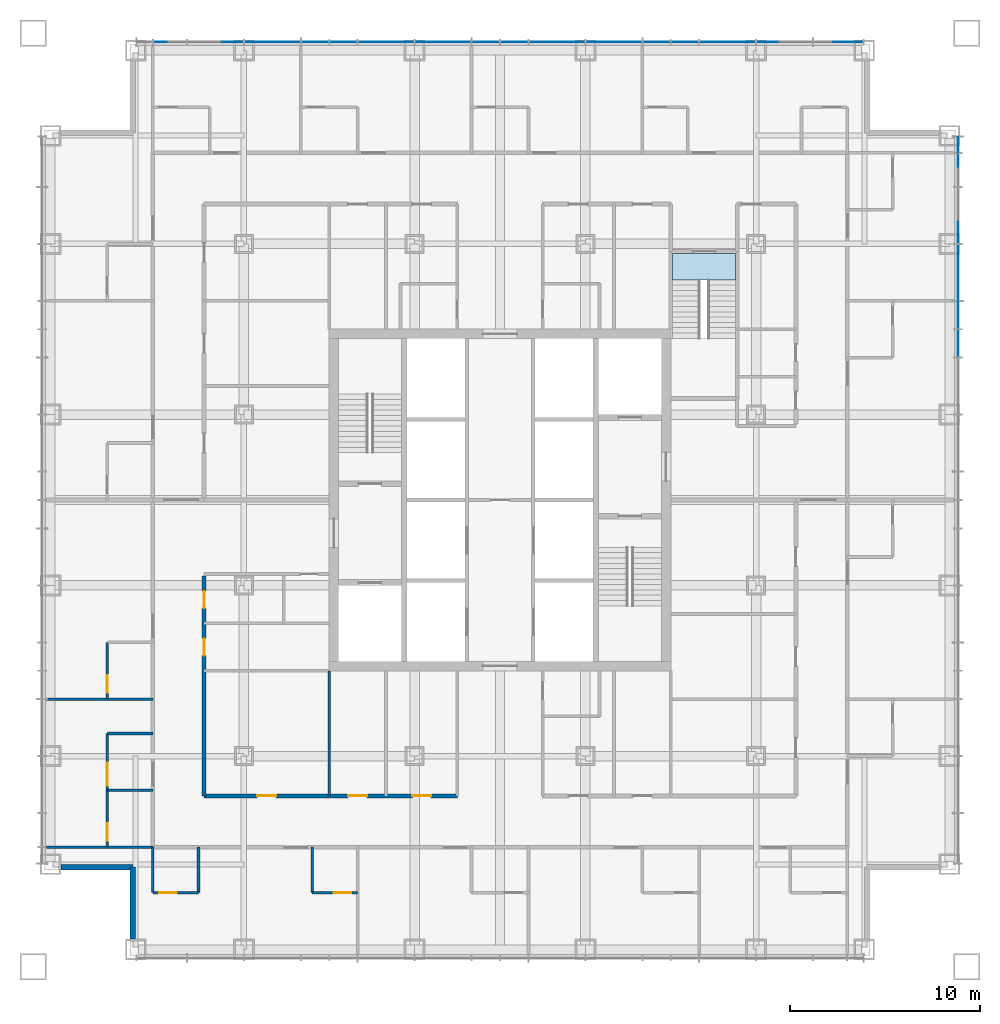
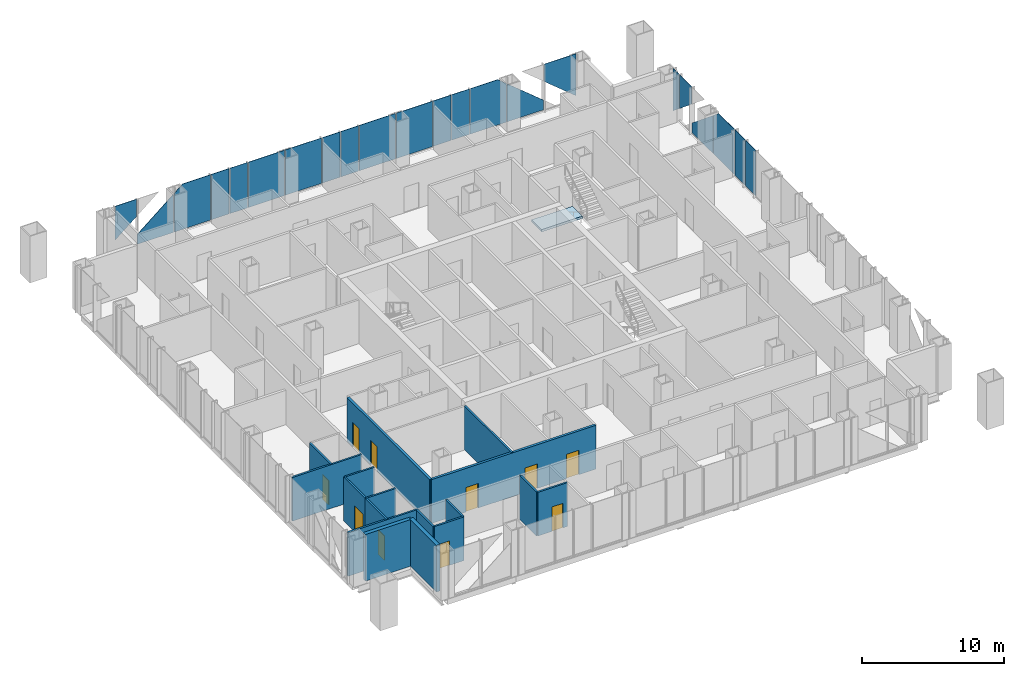
# One storey, part 8 of 13: 22 plates, 17 walls, 10 doors, 1 slab, 10 openings, 3 elements without a shape of their own.
"""IFC4 building model written with IfcOpenShell, lengths in metres."""

from ifc_helpers import new_model, si_unit, direction, frame, frame_2d, origin, origin_2d, place, context, subcontext, project, spatial, polyline, rectangle, outline, extrude, material, layer, layer_set, type_object, element, fill, aggregate, save


model = new_model("IFC4")

# Units and contexts
model_context = context("Model", 3, precision=1e-05, world=origin(), true_north=direction((0.0, 1.0)))
body_context = subcontext(model_context, "Body", "Model", "MODEL_VIEW")
ifc_project = project(units=[si_unit("LENGTHUNIT", "METRE"), si_unit("AREAUNIT", "SQUARE_METRE"), si_unit("VOLUMEUNIT", "CUBIC_METRE"), si_unit("PLANEANGLEUNIT", "RADIAN"), si_unit("MASSUNIT", "GRAM", prefix="KILO")], contexts=[model_context])

# Site, building, storey
site_placement = place(None, origin())
site = spatial("IfcSite", under=ifc_project, at=site_placement, CompositionType="ELEMENT")
building_placement = place(site_placement, origin())
building = spatial("IfcBuilding", under=site, at=building_placement, Name="Malebo Sky Hospital", CompositionType="ELEMENT")
storey_placement = place(building_placement, frame((0.0, 0.0, 104.0)))
storey = spatial("IfcBuildingStorey", under=building, at=storey_placement, Name="L24", CompositionType="ELEMENT", Elevation=104.0)

# Stair, slab
ifc_material_1 = material(Name="Concrete C40/50", Category="concrete")
stair_type = type_object("IfcStairType", Name="HALF-TURN STAIR 1400 R167", PredefinedType="HALF_TURN_STAIR", material=ifc_material_1)
stair_placement = place(storey_placement, origin())
stair = element("IfcStair", 1, at=stair_placement, inside=storey, type_object=stair_type, Name="Stair S3 L24 type ST1B", PredefinedType="HALF_TURN_STAIR")
ifc_layer_1 = layer(ifc_material_1, 0.199951171875)
ifc_layer_set_1 = layer_set([ifc_layer_1], Name="STAIR LANDING 200")
slab_type = type_object("IfcSlabType", Name="STAIR LANDING 200", PredefinedType="LANDING", material=ifc_layer_set_1)
slab_placement = place(storey_placement, frame((0.0, 0.0, -0.199951171875)))
slab = element("IfcSlab", 2, at=slab_placement, type_object=slab_type, Name="S3 landing 1", PredefinedType="LANDING", context=body_context, shape_type="SweptSolid", body=[
    extrude(outline(polyline([(69.10009765625, 73.60009765625), (72.39990234375, 73.60009765625), (72.39990234375, 75.0), (69.10009765625, 75.0), (69.10009765625, 73.60009765625)])), origin(), (0.0, 0.0, 1.0), 0.199951171875),
])
aggregate(stair, [slab])

# Curtain wall, plates
ifc_material_2 = material(Name="Anodised aluminium, natural silver", Category="aluminium")
ifc_layer_2 = layer(ifc_material_2, 0.25)
ifc_layer_set_2 = layer_set([ifc_layer_2], Name="WARD CURTAIN WALL NORTH AND SOUTH")
curtain_wall_type_1 = type_object("IfcCurtainWallType", Name="WARD CURTAIN WALL NORTH AND SOUTH", PredefinedType="NOTDEFINED", material=ifc_layer_set_2)
curtain_wall_1_placement = place(storey_placement, origin())
curtain_wall_1 = element("IfcCurtainWall", 3, at=curtain_wall_1_placement, inside=storey, type_object=curtain_wall_type_1, Name="NS curtain wall N", PredefinedType="NOTDEFINED")
ifc_material_3 = material(Name="Clear low-iron double glazing", Category="glass")
ifc_layer_3 = layer(ifc_material_3, 0.031982421875)
ifc_layer_set_3 = layer_set([ifc_layer_3], Name="VISION PANEL CLEAR 32")
plate_type = type_object("IfcPlateType", Name="VISION PANEL CLEAR 32", PredefinedType="CURTAIN_PANEL", material=ifc_layer_set_3)
plate_1_placement = place(storey_placement, frame((42.60009765625, 86.135009765625, 1.083984375), z_axis=(0.0, 0.0, 1.0), x_axis=(1.0, 0.0, 0.0)))
plate_1 = element("IfcPlate", 4, at=plate_1_placement, type_object=plate_type, Name="Panel 2", PredefinedType="CURTAIN_PANEL", context=body_context, shape_type="SweptSolid", body=[
    extrude(outline(polyline([(-0.862548828125, 0.0), (0.862548828125, 1.421630859375), (0.862548828125, 2.906005859375), (-0.862548828125, 2.906005859375), (-0.862548828125, 0.0)])), frame((0.0, 0.01611328125, 0.0), z_axis=(0.0, -1.0, 0.0), x_axis=(1.0, 0.0, 0.0)), (0.0, 0.0, 1.0), 0.031982421875),
])
plate_2_placement = place(storey_placement, frame((45.0, 86.135009765625, 0.10009765625), z_axis=(0.0, 0.0, 1.0), x_axis=(1.0, 0.0, 0.0)))
plate_2 = element("IfcPlate", 5, at=plate_2_placement, type_object=plate_type, Name="Panel 3", PredefinedType="CURTAIN_PANEL", context=body_context, shape_type="SweptSolid", body=[
    extrude(outline(polyline([(-1.46240234375, 0.0), (1.46240234375, 0.0), (1.46240234375, 3.257080078125), (-1.46240234375, 0.846435546875), (-1.46240234375, 0.0)])), frame((0.0, 0.01611328125, 0.0), z_axis=(0.0, -1.0, 0.0), x_axis=(1.0, 0.0, 0.0)), (0.0, 0.0, 1.0), 0.031982421875),
])
plate_3_placement = place(storey_placement, frame((48.0, 86.135009765625, 0.10009765625), z_axis=(0.0, 0.0, 1.0), x_axis=(1.0, 0.0, 0.0)))
plate_3 = element("IfcPlate", 6, at=plate_3_placement, type_object=plate_type, Name="Panel 4", PredefinedType="CURTAIN_PANEL", context=body_context, shape_type="SweptSolid", body=[
    extrude(outline(polyline([(-1.46240234375, 0.0), (1.46240234375, 0.0), (1.46240234375, 3.889892578125), (-0.76953125, 3.889892578125), (-1.46240234375, 3.31884765625), (-1.46240234375, 0.0)])), frame((0.0, 0.01611328125, 0.0), z_axis=(0.0, -1.0, 0.0), x_axis=(1.0, 0.0, 0.0)), (0.0, 0.0, 1.0), 0.031982421875),
])
plate_4_placement = place(storey_placement, frame((50.25, 86.135009765625, 0.10009765625), z_axis=(0.0, 0.0, 1.0), x_axis=(1.0, 0.0, 0.0)))
plate_4 = element("IfcPlate", 7, at=plate_4_placement, type_object=plate_type, Name="Panel 5", PredefinedType="CURTAIN_PANEL", context=body_context, shape_type="SweptSolid", body=[
    extrude(rectangle(XDim=1.425048828125, YDim=0.031982421875, at=origin_2d()), origin(), (0.0, 0.0, 1.0), 3.889892578125),
])
plate_5_placement = place(storey_placement, frame((51.75, 86.135009765625, 0.10009765625), z_axis=(0.0, 0.0, 1.0), x_axis=(1.0, 0.0, 0.0)))
plate_5 = element("IfcPlate", 8, at=plate_5_placement, type_object=plate_type, Name="Panel 6", PredefinedType="CURTAIN_PANEL", context=body_context, shape_type="SweptSolid", body=[
    extrude(rectangle(XDim=1.425048828125, YDim=0.031982421875, at=origin_2d()), origin(), (0.0, 0.0, 1.0), 3.889892578125),
])
plate_6_placement = place(storey_placement, frame((54.0, 86.135009765625, 0.10009765625), z_axis=(0.0, 0.0, 1.0), x_axis=(1.0, 0.0, 0.0)))
plate_6 = element("IfcPlate", 9, at=plate_6_placement, type_object=plate_type, Name="Panel 7", PredefinedType="CURTAIN_PANEL", context=body_context, shape_type="SweptSolid", body=[
    extrude(rectangle(XDim=2.925048828125, YDim=0.031982421875, at=origin_2d()), origin(), (0.0, 0.0, 1.0), 3.889892578125),
])
plate_7_placement = place(storey_placement, frame((57.0, 86.135009765625, 0.10009765625), z_axis=(0.0, 0.0, 1.0), x_axis=(1.0, 0.0, 0.0)))
plate_7 = element("IfcPlate", 10, at=plate_7_placement, type_object=plate_type, Name="Panel 8", PredefinedType="CURTAIN_PANEL", context=body_context, shape_type="SweptSolid", body=[
    extrude(rectangle(XDim=2.925048828125, YDim=0.031982421875, at=origin_2d()), origin(), (0.0, 0.0, 1.0), 3.889892578125),
])
plate_8_placement = place(storey_placement, frame((59.25, 86.135009765625, 0.10009765625), z_axis=(0.0, 0.0, 1.0), x_axis=(1.0, 0.0, 0.0)))
plate_8 = element("IfcPlate", 11, at=plate_8_placement, type_object=plate_type, Name="Panel 9", PredefinedType="CURTAIN_PANEL", context=body_context, shape_type="SweptSolid", body=[
    extrude(rectangle(XDim=1.425048828125, YDim=0.031982421875, at=origin_2d()), origin(), (0.0, 0.0, 1.0), 3.889892578125),
])
plate_9_placement = place(storey_placement, frame((60.75, 86.135009765625, 0.10009765625), z_axis=(0.0, 0.0, 1.0), x_axis=(1.0, 0.0, 0.0)))
plate_9 = element("IfcPlate", 12, at=plate_9_placement, type_object=plate_type, Name="Panel 10", PredefinedType="CURTAIN_PANEL", context=body_context, shape_type="SweptSolid", body=[
    extrude(rectangle(XDim=1.425048828125, YDim=0.031982421875, at=origin_2d()), origin(), (0.0, 0.0, 1.0), 3.889892578125),
])
plate_10_placement = place(storey_placement, frame((63.0, 86.135009765625, 0.10009765625), z_axis=(0.0, 0.0, 1.0), x_axis=(1.0, 0.0, 0.0)))
plate_10 = element("IfcPlate", 13, at=plate_10_placement, type_object=plate_type, Name="Panel 11", PredefinedType="CURTAIN_PANEL", context=body_context, shape_type="SweptSolid", body=[
    extrude(rectangle(XDim=2.925048828125, YDim=0.031982421875, at=origin_2d()), origin(), (0.0, 0.0, 1.0), 3.889892578125),
])
plate_11_placement = place(storey_placement, frame((66.0, 86.135009765625, 0.10009765625), z_axis=(0.0, 0.0, 1.0), x_axis=(1.0, 0.0, 0.0)))
plate_11 = element("IfcPlate", 14, at=plate_11_placement, type_object=plate_type, Name="Panel 12", PredefinedType="CURTAIN_PANEL", context=body_context, shape_type="SweptSolid", body=[
    extrude(rectangle(XDim=2.925048828125, YDim=0.031982421875, at=origin_2d()), origin(), (0.0, 0.0, 1.0), 3.889892578125),
])
plate_12_placement = place(storey_placement, frame((68.25, 86.135009765625, 0.10009765625), z_axis=(0.0, 0.0, 1.0), x_axis=(1.0, 0.0, 0.0)))
plate_12 = element("IfcPlate", 15, at=plate_12_placement, type_object=plate_type, Name="Panel 13", PredefinedType="CURTAIN_PANEL", context=body_context, shape_type="SweptSolid", body=[
    extrude(rectangle(XDim=1.425048828125, YDim=0.031982421875, at=origin_2d()), origin(), (0.0, 0.0, 1.0), 3.889892578125),
])
plate_13_placement = place(storey_placement, frame((69.75, 86.135009765625, 0.10009765625), z_axis=(0.0, 0.0, 1.0), x_axis=(1.0, 0.0, 0.0)))
plate_13 = element("IfcPlate", 16, at=plate_13_placement, type_object=plate_type, Name="Panel 14", PredefinedType="CURTAIN_PANEL", context=body_context, shape_type="SweptSolid", body=[
    extrude(rectangle(XDim=1.425048828125, YDim=0.031982421875, at=origin_2d()), origin(), (0.0, 0.0, 1.0), 3.889892578125),
])
plate_14_placement = place(storey_placement, frame((72.0, 86.135009765625, 0.10009765625), z_axis=(0.0, 0.0, 1.0), x_axis=(1.0, 0.0, 0.0)))
plate_14 = element("IfcPlate", 17, at=plate_14_placement, type_object=plate_type, Name="Panel 15", PredefinedType="CURTAIN_PANEL", context=body_context, shape_type="SweptSolid", body=[
    extrude(outline(polyline([(-1.46240234375, 0.0), (1.46240234375, 0.0), (1.46240234375, 3.31884765625), (0.76953125, 3.889892578125), (-1.46240234375, 3.889892578125), (-1.46240234375, 0.0)])), frame((0.0, 0.01611328125, 0.0), z_axis=(0.0, -1.0, 0.0), x_axis=(1.0, 0.0, 0.0)), (0.0, 0.0, 1.0), 0.031982421875),
])
plate_15_placement = place(storey_placement, frame((75.0, 86.135009765625, 0.10009765625), z_axis=(0.0, 0.0, 1.0), x_axis=(1.0, 0.0, 0.0)))
plate_15 = element("IfcPlate", 18, at=plate_15_placement, type_object=plate_type, Name="Panel 16", PredefinedType="CURTAIN_PANEL", context=body_context, shape_type="SweptSolid", body=[
    extrude(outline(polyline([(-1.46240234375, 0.0), (1.46240234375, 0.0), (1.46240234375, 0.846435546875), (-1.46240234375, 3.257080078125), (-1.46240234375, 0.0)])), frame((0.0, 0.01611328125, 0.0), z_axis=(0.0, -1.0, 0.0), x_axis=(1.0, 0.0, 0.0)), (0.0, 0.0, 1.0), 0.031982421875),
])
plate_16_placement = place(storey_placement, frame((77.831298828125, 86.135009765625, 0.373046875), z_axis=(0.0, 0.0, 1.0), x_axis=(1.0, 0.0, 0.0)))
plate_16 = element("IfcPlate", 19, at=plate_16_placement, type_object=plate_type, Name="Panel 17", PredefinedType="CURTAIN_PANEL", context=body_context, shape_type="SweptSolid", body=[
    extrude(outline(polyline([(1.293701171875, 0.0), (1.293701171875, 3.616943359375), (-1.293701171875, 3.616943359375), (-1.293701171875, 2.132568359375), (1.293701171875, 0.0)])), frame((0.0, 0.01611328125, 0.0), z_axis=(0.0, -1.0, 0.0), x_axis=(1.0, 0.0, 0.0)), (0.0, 0.0, 1.0), 0.031982421875),
])
aggregate(curtain_wall_1, [plate_1, plate_2, plate_3, plate_4, plate_5, plate_6, plate_7, plate_8, plate_9, plate_10, plate_11, plate_12, plate_13, plate_14, plate_15, plate_16])

ifc_layer_4 = layer(ifc_material_2, 0.25)
ifc_layer_set_4 = layer_set([ifc_layer_4], Name="WARD CURTAIN WALL EAST AND WEST")
curtain_wall_type_2 = type_object("IfcCurtainWallType", Name="WARD CURTAIN WALL EAST AND WEST", PredefinedType="NOTDEFINED", material=ifc_layer_set_4)
curtain_wall_2_placement = place(storey_placement, origin())
curtain_wall_2 = element("IfcCurtainWall", 20, at=curtain_wall_2_placement, inside=storey, type_object=curtain_wall_type_2, Name="EW curtain wall E", PredefinedType="NOTDEFINED")
plate_17_placement = place(storey_placement, frame((84.135009765625, 80.731201171875, 0.373046875), z_axis=(0.0, 0.0, 1.0), x_axis=(0.0, -1.0, 0.0)))
plate_17 = element("IfcPlate", 21, at=plate_17_placement, type_object=plate_type, Name="Panel 1", PredefinedType="CURTAIN_PANEL", context=body_context, shape_type="SweptSolid", body=[
    extrude(outline(polyline([(-0.393798828125, 0.0), (0.393798828125, 0.649169921875), (0.393798828125, 3.616943359375), (-0.393798828125, 3.616943359375), (-0.393798828125, 0.0)])), frame((0.0, 0.01611328125, 0.0), z_axis=(0.0, -1.0, 0.0), x_axis=(1.0, 0.0, 0.0)), (0.0, 0.0, 1.0), 0.031982421875),
])
plate_18_placement = place(storey_placement, frame((84.135009765625, 79.39990234375, 1.083984375), z_axis=(0.0, 0.0, 1.0), x_axis=(0.0, -1.0, 0.0)))
plate_18 = element("IfcPlate", 22, at=plate_18_placement, type_object=plate_type, Name="Panel 2", PredefinedType="CURTAIN_PANEL", context=body_context, shape_type="SweptSolid", body=[
    extrude(outline(polyline([(-0.862548828125, 0.0), (0.862548828125, 1.421630859375), (0.862548828125, 2.906005859375), (-0.862548828125, 2.906005859375), (-0.862548828125, 0.0)])), frame((0.0, 0.01611328125, 0.0), z_axis=(0.0, -1.0, 0.0), x_axis=(1.0, 0.0, 0.0)), (0.0, 0.0, 1.0), 0.031982421875),
])
plate_19_placement = place(storey_placement, frame((84.135009765625, 77.0, 0.10009765625), z_axis=(0.0, 0.0, 1.0), x_axis=(0.0, -1.0, 0.0)))
plate_19 = element("IfcPlate", 23, at=plate_19_placement, type_object=plate_type, Name="Panel 3", PredefinedType="CURTAIN_PANEL", context=body_context, shape_type="SweptSolid", body=[
    extrude(outline(polyline([(-1.46240234375, 0.0), (1.46240234375, 0.0), (1.46240234375, 3.257080078125), (-1.46240234375, 0.846435546875), (-1.46240234375, 0.0)])), frame((0.0, 0.01611328125, 0.0), z_axis=(0.0, -1.0, 0.0), x_axis=(1.0, 0.0, 0.0)), (0.0, 0.0, 1.0), 0.031982421875),
])
plate_20_placement = place(storey_placement, frame((84.135009765625, 74.0, 0.10009765625), z_axis=(0.0, 0.0, 1.0), x_axis=(0.0, -1.0, 0.0)))
plate_20 = element("IfcPlate", 24, at=plate_20_placement, type_object=plate_type, Name="Panel 4", PredefinedType="CURTAIN_PANEL", context=body_context, shape_type="SweptSolid", body=[
    extrude(outline(polyline([(-1.46240234375, 0.0), (1.46240234375, 0.0), (1.46240234375, 3.889892578125), (-0.76953125, 3.889892578125), (-1.46240234375, 3.31884765625), (-1.46240234375, 0.0)])), frame((0.0, 0.01611328125, 0.0), z_axis=(0.0, -1.0, 0.0), x_axis=(1.0, 0.0, 0.0)), (0.0, 0.0, 1.0), 0.031982421875),
])
plate_21_placement = place(storey_placement, frame((84.135009765625, 71.75, 0.10009765625), z_axis=(0.0, 0.0, 1.0), x_axis=(0.0, -1.0, 0.0)))
plate_21 = element("IfcPlate", 25, at=plate_21_placement, type_object=plate_type, Name="Panel 5", PredefinedType="CURTAIN_PANEL", context=body_context, shape_type="SweptSolid", body=[
    extrude(rectangle(XDim=1.425048828125, YDim=0.031982421875, at=origin_2d()), origin(), (0.0, 0.0, 1.0), 3.889892578125),
])
plate_22_placement = place(storey_placement, frame((84.135009765625, 70.25, 0.10009765625), z_axis=(0.0, 0.0, 1.0), x_axis=(0.0, -1.0, 0.0)))
plate_22 = element("IfcPlate", 26, at=plate_22_placement, type_object=plate_type, Name="Panel 6", PredefinedType="CURTAIN_PANEL", context=body_context, shape_type="SweptSolid", body=[
    extrude(rectangle(XDim=1.425048828125, YDim=0.031982421875, at=origin_2d()), origin(), (0.0, 0.0, 1.0), 3.889892578125),
])
aggregate(curtain_wall_2, [plate_17, plate_18, plate_19, plate_20, plate_21, plate_22])

# Wall, openings, doors
ifc_material_4 = material(Name="Gypsum board on steel studs", Category="steel")
ifc_layer_5 = layer(ifc_material_4, 0.199951171875)
ifc_layer_set_5 = layer_set([ifc_layer_5], Name="CORRIDOR WALL 200")
wall_type_1 = type_object("IfcWallType", Name="CORRIDOR WALL 200", PredefinedType="PARTITIONING", material=ifc_layer_set_5)
wall_1_placement = place(storey_placement, frame((44.39990234375, 46.39990234375, 0.0), z_axis=(0.0, 0.0, 1.0), x_axis=(0.0, 1.0, 0.0)))
wall_1 = element("IfcWall", 27, at=wall_1_placement, inside=storey, type_object=wall_type_1, Name="Corridor Wall 200 WCI1", PredefinedType="PARTITIONING", context=body_context, shape_type="SweptSolid", body=[
    extrude(rectangle(XDim=11.60009765625, YDim=0.199951171875, at=frame_2d((5.800048828125, 0.0))), origin(), (0.0, 0.0, 1.0), 3.75),
])
opening_1_placement = place(wall_1_placement, frame((7.39990234375, 0.0, 0.0)))
opening_1 = element("IfcOpeningElement", 28, at=opening_1_placement, cuts=wall_1, Name="Opening D04", PredefinedType="OPENING", context=body_context, shape_type="SweptSolid", body=[
    extrude(rectangle(XDim=0.89990234375, YDim=2.10009765625, at=frame_2d((0.449951171875, 1.050048828125))), frame((0.0, 0.10986328125, 0.0), z_axis=(0.0, -1.0, 0.0), x_axis=(1.0, 0.0, 0.0)), (0.0, 0.0, 1.0), 0.219970703125),
])
opening_2_placement = place(wall_1_placement, frame((9.89990234375, 0.0, 0.0)))
opening_2 = element("IfcOpeningElement", 29, at=opening_2_placement, cuts=wall_1, Name="Opening D04", PredefinedType="OPENING", context=body_context, shape_type="SweptSolid", body=[
    extrude(rectangle(XDim=0.89990234375, YDim=2.10009765625, at=frame_2d((0.449951171875, 1.050048828125))), frame((0.0, 0.10986328125, 0.0), z_axis=(0.0, -1.0, 0.0), x_axis=(1.0, 0.0, 0.0)), (0.0, 0.0, 1.0), 0.219970703125),
])
ifc_material_5 = material(Name="Hardwood-faced door leaf in steel frame", Category="steel")
door_type_1 = type_object("IfcDoorType", Name="ROOM DOOR 900", OperationType="SINGLE_SWING_LEFT", PredefinedType="DOOR", material=ifc_material_5)
door_1_placement = place(opening_1_placement, origin())
door_1 = element("IfcDoor", 30, at=door_1_placement, inside=storey, type_object=door_type_1, Name="Ward office door", OperationType="SINGLE_SWING_LEFT", OverallHeight=2.10009765625, OverallWidth=0.89990234375, PredefinedType="DOOR", context=body_context, shape_type="SweptSolid", body=[
    extrude(rectangle(XDim=0.89990234375, YDim=2.10009765625, at=frame_2d((0.449951171875, 1.050048828125))), frame((0.0, 0.02490234375, 0.0), z_axis=(0.0, -1.0, 0.0), x_axis=(1.0, 0.0, 0.0)), (0.0, 0.0, 1.0), 0.050048828125),
])
fill(opening_1, door_1)
door_2_placement = place(opening_2_placement, origin())
door_2 = element("IfcDoor", 31, at=door_2_placement, inside=storey, type_object=door_type_1, Name="Linen store door", OperationType="SINGLE_SWING_LEFT", OverallHeight=2.10009765625, OverallWidth=0.89990234375, PredefinedType="DOOR", context=body_context, shape_type="SweptSolid", body=[
    extrude(rectangle(XDim=0.89990234375, YDim=2.10009765625, at=frame_2d((0.449951171875, 1.050048828125))), frame((0.0, 0.02490234375, 0.0), z_axis=(0.0, -1.0, 0.0), x_axis=(1.0, 0.0, 0.0)), (0.0, 0.0, 1.0), 0.050048828125),
])
fill(opening_2, door_2)

wall_2_placement = place(storey_placement, frame((57.75, 46.39990234375, 0.0), z_axis=(0.0, 0.0, 1.0), x_axis=(-1.0, 0.0, 0.0)))
wall_2 = element("IfcWall", 32, at=wall_2_placement, inside=storey, type_object=wall_type_1, Name="Corridor Wall 200 SCI2", PredefinedType="PARTITIONING", context=body_context, shape_type="SweptSolid", body=[
    extrude(rectangle(XDim=13.35009765625, YDim=0.199951171875, at=frame_2d((6.675048828125, 0.0))), origin(), (0.0, 0.0, 1.0), 3.75),
])
opening_3_placement = place(wall_2_placement, frame((1.375, 0.0, 0.0)))
opening_3 = element("IfcOpeningElement", 33, at=opening_3_placement, cuts=wall_2, Name="Opening D03", PredefinedType="OPENING", context=body_context, shape_type="SweptSolid", body=[
    extrude(rectangle(XDim=1.0, YDim=2.10009765625, at=frame_2d((0.5, 1.050048828125))), frame((0.0, 0.10986328125, 0.0), z_axis=(0.0, -1.0, 0.0), x_axis=(1.0, 0.0, 0.0)), (0.0, 0.0, 1.0), 0.219970703125),
])
opening_4_placement = place(wall_2_placement, frame((4.75, 0.0, 0.0)))
opening_4 = element("IfcOpeningElement", 34, at=opening_4_placement, cuts=wall_2, Name="Opening D03", PredefinedType="OPENING", context=body_context, shape_type="SweptSolid", body=[
    extrude(rectangle(XDim=1.0, YDim=2.10009765625, at=frame_2d((0.5, 1.050048828125))), frame((0.0, 0.10986328125, 0.0), z_axis=(0.0, -1.0, 0.0), x_axis=(1.0, 0.0, 0.0)), (0.0, 0.0, 1.0), 0.219970703125),
])
opening_5_placement = place(wall_2_placement, frame((9.550048828125, 0.0, 0.0)))
opening_5 = element("IfcOpeningElement", 35, at=opening_5_placement, cuts=wall_2, Name="Opening D03", PredefinedType="OPENING", context=body_context, shape_type="SweptSolid", body=[
    extrude(rectangle(XDim=1.0, YDim=2.10009765625, at=frame_2d((0.5, 1.050048828125))), frame((0.0, 0.10986328125, 0.0), z_axis=(0.0, -1.0, 0.0), x_axis=(1.0, 0.0, 0.0)), (0.0, 0.0, 1.0), 0.219970703125),
])
door_type_2 = type_object("IfcDoorType", Name="ROOM DOOR 1000", OperationType="SINGLE_SWING_LEFT", PredefinedType="DOOR", material=ifc_material_5)
door_3_placement = place(opening_3_placement, origin())
door_3 = element("IfcDoor", 36, at=door_3_placement, inside=storey, type_object=door_type_2, Name="Ward pantry door", OperationType="SINGLE_SWING_LEFT", OverallHeight=2.10009765625, OverallWidth=1.0, PredefinedType="DOOR", context=body_context, shape_type="SweptSolid", body=[
    extrude(rectangle(XDim=1.0, YDim=2.10009765625, at=frame_2d((0.5, 1.050048828125))), frame((0.0, 0.02490234375, 0.0), z_axis=(0.0, -1.0, 0.0), x_axis=(1.0, 0.0, 0.0)), (0.0, 0.0, 1.0), 0.050048828125),
])
fill(opening_3, door_3)
door_4_placement = place(opening_4_placement, origin())
door_4 = element("IfcDoor", 37, at=door_4_placement, inside=storey, type_object=door_type_2, Name="Equipment cleaning room door", OperationType="SINGLE_SWING_LEFT", OverallHeight=2.10009765625, OverallWidth=1.0, PredefinedType="DOOR", context=body_context, shape_type="SweptSolid", body=[
    extrude(rectangle(XDim=1.0, YDim=2.10009765625, at=frame_2d((0.5, 1.050048828125))), frame((0.0, 0.02490234375, 0.0), z_axis=(0.0, -1.0, 0.0), x_axis=(1.0, 0.0, 0.0)), (0.0, 0.0, 1.0), 0.050048828125),
])
fill(opening_4, door_4)
door_5_placement = place(opening_5_placement, origin())
door_5 = element("IfcDoor", 38, at=door_5_placement, inside=storey, type_object=door_type_2, Name="Staff rest room door", OperationType="SINGLE_SWING_RIGHT", OverallHeight=2.10009765625, OverallWidth=1.0, PredefinedType="DOOR", context=body_context, shape_type="SweptSolid", body=[
    extrude(rectangle(XDim=1.0, YDim=2.10009765625, at=frame_2d((0.5, 1.050048828125))), frame((0.0, 0.02490234375, 0.0), z_axis=(0.0, -1.0, 0.0), x_axis=(1.0, 0.0, 0.0)), (0.0, 0.0, 1.0), 0.050048828125),
])
fill(opening_5, door_5)

# Walls
ifc_material_6 = material(Name="Anodised aluminium rainscreen on steel framing", Category="steel")
ifc_layer_6 = layer(ifc_material_6, 0.300048828125)
ifc_layer_set_6 = layer_set([ifc_layer_6], Name="NOTCH RAINSCREEN WALL 300")
wall_type_2 = type_object("IfcWallType", Name="NOTCH RAINSCREEN WALL 300", PredefinedType="ELEMENTEDWALL", material=ifc_layer_set_6)
for number, where, z_axis, x_axis, name in (
    (39, (40.64990234375, 38.85009765625, 0.0), (0.0, 0.0, 1.0), (0.0, 1.0, 0.0), "Notch rainscreen wall S1 L24"),
    (40, (40.64990234375, 42.64990234375, 0.0), (0.0, 0.0, 1.0), (-1.0, 0.0, 0.0), "Notch rainscreen wall S2 L24"),
):
    element("IfcWall", number, at=place(storey_placement, frame(where, z_axis=z_axis, x_axis=x_axis)), inside=storey, type_object=wall_type_2, Name=name, PredefinedType="ELEMENTEDWALL", context=body_context, shape_type="SweptSolid", body=[
        extrude(rectangle(XDim=3.7998046875, YDim=0.300048828125, at=frame_2d((1.89990234375, 0.0))), origin(), (0.0, 0.0, 1.0), 4.0),
    ])
ifc_layer_7 = layer(ifc_material_4, 0.14990234375)
ifc_layer_set_7 = layer_set([ifc_layer_7], Name="PARTITION 150")
wall_type_3 = type_object("IfcWallType", Name="PARTITION 150", PredefinedType="PARTITIONING", material=ifc_layer_set_7)
for number, where, z_axis, x_axis, name in (
    (41, (41.699951171875, 51.5, 0.0), (0.0, 0.0, 1.0), (-1.0, 0.0, 0.0), "Partition 150 WP-10.5"),
    (42, (41.699951171875, 43.699951171875, 0.0), (0.0, 0.0, 1.0), (-1.0, 0.0, 0.0), "Partition 150 WP0"),
):
    element("IfcWall", number, at=place(storey_placement, frame(where, z_axis=z_axis, x_axis=x_axis)), inside=storey, type_object=wall_type_3, Name=name, PredefinedType="PARTITIONING", context=body_context, shape_type="SweptSolid", body=[
        extrude(rectangle(XDim=5.60986328125, YDim=0.14990234375, at=frame_2d((2.804931640625, 0.0))), origin(), (0.0, 0.0, 1.0), 3.75),
    ])

# Wall, opening, door
wall_3_placement = place(storey_placement, frame((39.300048828125, 43.699951171875, 0.0), z_axis=(0.0, 0.0, 1.0), x_axis=(0.0, 1.0, 0.0)))
wall_3 = element("IfcWall", 43, at=wall_3_placement, inside=storey, type_object=wall_type_3, Name="Partition 150 WE0F", PredefinedType="PARTITIONING", context=body_context, shape_type="SweptSolid", body=[
    extrude(rectangle(XDim=3.0, YDim=0.14990234375, at=frame_2d((1.5, 0.0))), origin(), (0.0, 0.0, 1.0), 3.75),
])
opening_6_placement = place(wall_3_placement, frame((0.35009765625, 0.0, 0.0)))
opening_6 = element("IfcOpeningElement", 44, at=opening_6_placement, cuts=wall_3, Name="Opening D02", PredefinedType="OPENING", context=body_context, shape_type="SweptSolid", body=[
    extrude(rectangle(XDim=0.89990234375, YDim=2.10009765625, at=frame_2d((0.449951171875, 1.050048828125))), frame((0.0, 0.0849609375, 0.0), z_axis=(0.0, -1.0, 0.0), x_axis=(1.0, 0.0, 0.0)), (0.0, 0.0, 1.0), 0.169921875),
])
door_type_3 = type_object("IfcDoorType", Name="EN-SUITE DOOR 900", OperationType="SINGLE_SWING_LEFT", PredefinedType="DOOR", material=ifc_material_5)
door_6_placement = place(opening_6_placement, origin())
door_6 = element("IfcDoor", 45, at=door_6_placement, inside=storey, type_object=door_type_3, Name="En-suite door", OperationType="SINGLE_SWING_LEFT", OverallHeight=2.10009765625, OverallWidth=0.89990234375, PredefinedType="DOOR", context=body_context, shape_type="SweptSolid", body=[
    extrude(rectangle(XDim=0.89990234375, YDim=2.10009765625, at=frame_2d((0.449951171875, 1.050048828125))), frame((0.0, 0.02490234375, 0.0), z_axis=(0.0, -1.0, 0.0), x_axis=(1.0, 0.0, 0.0)), (0.0, 0.0, 1.0), 0.050048828125),
])
fill(opening_6, door_6)

# Wall
wall_4_placement = place(storey_placement, frame((41.699951171875, 46.699951171875, 0.0), z_axis=(0.0, 0.0, 1.0), x_axis=(-1.0, 0.0, 0.0)))
element("IfcWall", 46, at=wall_4_placement, inside=storey, type_object=wall_type_3, Name="Partition 150 WE0S", PredefinedType="PARTITIONING", context=body_context, shape_type="SweptSolid", body=[
    extrude(rectangle(XDim=2.39990234375, YDim=0.14990234375, at=frame_2d((1.199951171875, 0.0))), origin(), (0.0, 0.0, 1.0), 3.75),
])

# Wall, opening, door
wall_5_placement = place(storey_placement, frame((39.300048828125, 51.5, 0.0), z_axis=(0.0, 0.0, 1.0), x_axis=(0.0, 1.0, 0.0)))
wall_5 = element("IfcWall", 47, at=wall_5_placement, inside=storey, type_object=wall_type_3, Name="Partition 150 WE1F", PredefinedType="PARTITIONING", context=body_context, shape_type="SweptSolid", body=[
    extrude(rectangle(XDim=3.0, YDim=0.14990234375, at=frame_2d((1.5, 0.0))), origin(), (0.0, 0.0, 1.0), 3.75),
])
opening_7_placement = place(wall_5_placement, frame((0.35009765625, 0.0, 0.0)))
opening_7 = element("IfcOpeningElement", 48, at=opening_7_placement, cuts=wall_5, Name="Opening D02", PredefinedType="OPENING", context=body_context, shape_type="SweptSolid", body=[
    extrude(rectangle(XDim=0.89990234375, YDim=2.10009765625, at=frame_2d((0.449951171875, 1.050048828125))), frame((0.0, 0.0849609375, 0.0), z_axis=(0.0, -1.0, 0.0), x_axis=(1.0, 0.0, 0.0)), (0.0, 0.0, 1.0), 0.169921875),
])
door_7_placement = place(opening_7_placement, origin())
door_7 = element("IfcDoor", 49, at=door_7_placement, inside=storey, type_object=door_type_3, Name="En-suite door", OperationType="SINGLE_SWING_LEFT", OverallHeight=2.10009765625, OverallWidth=0.89990234375, PredefinedType="DOOR", context=body_context, shape_type="SweptSolid", body=[
    extrude(rectangle(XDim=0.89990234375, YDim=2.10009765625, at=frame_2d((0.449951171875, 1.050048828125))), frame((0.0, 0.02490234375, 0.0), z_axis=(0.0, -1.0, 0.0), x_axis=(1.0, 0.0, 0.0)), (0.0, 0.0, 1.0), 0.050048828125),
])
fill(opening_7, door_7)

wall_6_placement = place(storey_placement, frame((52.5, 41.300048828125, 0.0), z_axis=(0.0, 0.0, 1.0), x_axis=(-1.0, 0.0, 0.0)))
wall_6 = element("IfcWall", 50, at=wall_6_placement, inside=storey, type_object=wall_type_3, Name="Partition 150 SE3F", PredefinedType="PARTITIONING", context=body_context, shape_type="SweptSolid", body=[
    extrude(rectangle(XDim=2.39990234375, YDim=0.14990234375, at=frame_2d((1.199951171875, 0.0))), origin(), (0.0, 0.0, 1.0), 3.75),
])
opening_8_placement = place(wall_6_placement, frame((0.35009765625, 0.0, 0.0)))
opening_8 = element("IfcOpeningElement", 51, at=opening_8_placement, cuts=wall_6, Name="Opening D02", PredefinedType="OPENING", context=body_context, shape_type="SweptSolid", body=[
    extrude(rectangle(XDim=0.89990234375, YDim=2.10009765625, at=frame_2d((0.449951171875, 1.050048828125))), frame((0.0, 0.0849609375, 0.0), z_axis=(0.0, -1.0, 0.0), x_axis=(1.0, 0.0, 0.0)), (0.0, 0.0, 1.0), 0.169921875),
])
door_8_placement = place(opening_8_placement, origin())
door_8 = element("IfcDoor", 52, at=door_8_placement, inside=storey, type_object=door_type_3, Name="En-suite door", OperationType="SINGLE_SWING_LEFT", OverallHeight=2.10009765625, OverallWidth=0.89990234375, PredefinedType="DOOR", context=body_context, shape_type="SweptSolid", body=[
    extrude(rectangle(XDim=0.89990234375, YDim=2.10009765625, at=frame_2d((0.449951171875, 1.050048828125))), frame((0.0, 0.02490234375, 0.0), z_axis=(0.0, -1.0, 0.0), x_axis=(1.0, 0.0, 0.0)), (0.0, 0.0, 1.0), 0.050048828125),
])
fill(opening_8, door_8)

# Wall
wall_7_placement = place(storey_placement, frame((50.10009765625, 43.699951171875, 0.0), z_axis=(0.0, 0.0, 1.0), x_axis=(0.0, -1.0, 0.0)))
element("IfcWall", 53, at=wall_7_placement, inside=storey, type_object=wall_type_3, Name="Partition 150 SE3S", PredefinedType="PARTITIONING", context=body_context, shape_type="SweptSolid", body=[
    extrude(rectangle(XDim=2.39990234375, YDim=0.14990234375, at=frame_2d((1.199951171875, 0.0))), origin(), (0.0, 0.0, 1.0), 3.75),
])

# Wall, opening, door
wall_8_placement = place(storey_placement, frame((44.10009765625, 41.300048828125, 0.0), z_axis=(0.0, 0.0, 1.0), x_axis=(-1.0, 0.0, 0.0)))
wall_8 = element("IfcWall", 54, at=wall_8_placement, inside=storey, type_object=wall_type_3, Name="Partition 150 SG3F", PredefinedType="PARTITIONING", context=body_context, shape_type="SweptSolid", body=[
    extrude(rectangle(XDim=2.400146484375, YDim=0.14990234375, at=frame_2d((1.2001953125, 0.0))), origin(), (0.0, 0.0, 1.0), 3.75),
])
opening_9_placement = place(wall_8_placement, frame((1.14990234375, 0.0, 0.0)))
opening_9 = element("IfcOpeningElement", 55, at=opening_9_placement, cuts=wall_8, Name="Opening D02", PredefinedType="OPENING", context=body_context, shape_type="SweptSolid", body=[
    extrude(rectangle(XDim=0.89990234375, YDim=2.10009765625, at=frame_2d((0.449951171875, 1.050048828125))), frame((0.0, 0.0849609375, 0.0), z_axis=(0.0, -1.0, 0.0), x_axis=(1.0, 0.0, 0.0)), (0.0, 0.0, 1.0), 0.169921875),
])
door_9_placement = place(opening_9_placement, origin())
door_9 = element("IfcDoor", 56, at=door_9_placement, inside=storey, type_object=door_type_3, Name="En-suite door", OperationType="SINGLE_SWING_RIGHT", OverallHeight=2.10009765625, OverallWidth=0.89990234375, PredefinedType="DOOR", context=body_context, shape_type="SweptSolid", body=[
    extrude(rectangle(XDim=0.89990234375, YDim=2.10009765625, at=frame_2d((0.449951171875, 1.050048828125))), frame((0.0, 0.02490234375, 0.0), z_axis=(0.0, -1.0, 0.0), x_axis=(1.0, 0.0, 0.0)), (0.0, 0.0, 1.0), 0.050048828125),
])
fill(opening_9, door_9)

# Walls
for number, where, z_axis, x_axis, name in (
    (57, (44.10009765625, 43.699951171875, 0.0), (0.0, 0.0, 1.0), (0.0, -1.0, 0.0), "Partition 150 SG3S"),
    (58, (41.699951171875, 43.699951171875, 0.0), (0.0, 0.0, 1.0), (0.0, -1.0, 0.0), "Partition 150 SEZ"),
):
    element("IfcWall", number, at=place(storey_placement, frame(where, z_axis=z_axis, x_axis=x_axis)), inside=storey, type_object=wall_type_3, Name=name, PredefinedType="PARTITIONING", context=body_context, shape_type="SweptSolid", body=[
        extrude(rectangle(XDim=2.39990234375, YDim=0.14990234375, at=frame_2d((1.199951171875, 0.0))), origin(), (0.0, 0.0, 1.0), 3.75),
    ])
wall_9_placement = place(storey_placement, frame((51.0, 53.0, 0.0), z_axis=(0.0, 0.0, 1.0), x_axis=(0.0, -1.0, 0.0)))
element("IfcWall", 59, at=wall_9_placement, inside=storey, type_object=wall_type_3, Name="Partition 150 SSP+9.0", PredefinedType="PARTITIONING", context=body_context, shape_type="SweptSolid", body=[
    extrude(rectangle(XDim=6.60009765625, YDim=0.14990234375, at=frame_2d((3.300048828125, 0.0))), origin(), (0.0, 0.0, 1.0), 3.75),
])

# Wall, opening, door
ifc_material_7 = material(Name="Sealed gypsum board on steel studs, taped to the slab", Category="steel")
ifc_layer_8 = layer(ifc_material_7, 0.14990234375)
ifc_layer_set_8 = layer_set([ifc_layer_8], Name="SEALED ISOLATION PARTITION 150")
wall_type_4 = type_object("IfcWallType", Name="SEALED ISOLATION PARTITION 150", PredefinedType="PARTITIONING", material=ifc_layer_set_8)
wall_10_placement = place(storey_placement, frame((39.300048828125, 46.699951171875, 0.0), z_axis=(0.0, 0.0, 1.0), x_axis=(0.0, 1.0, 0.0)))
wall_10 = element("IfcWall", 60, at=wall_10_placement, inside=storey, type_object=wall_type_4, Name="Sealed Isolation Partition 150 WA0F", PredefinedType="PARTITIONING", context=body_context, shape_type="SweptSolid", body=[
    extrude(rectangle(XDim=3.0, YDim=0.14990234375, at=frame_2d((1.5, 0.0))), origin(), (0.0, 0.0, 1.0), 3.75),
])
opening_10_placement = place(wall_10_placement, frame((0.25, 0.0, 0.0)))
opening_10 = element("IfcOpeningElement", 61, at=opening_10_placement, cuts=wall_10, Name="Opening D19", PredefinedType="OPENING", context=body_context, shape_type="SweptSolid", body=[
    extrude(rectangle(XDim=1.199951171875, YDim=2.199951171875, at=frame_2d((0.60009765625, 1.10009765625))), frame((0.0, 0.0849609375, 0.0), z_axis=(0.0, -1.0, 0.0), x_axis=(1.0, 0.0, 0.0)), (0.0, 0.0, 1.0), 0.169921875),
])
ifc_material_8 = material(Name="Hardwood-faced door leaf with perimeter seals in steel frame", Category="steel")
door_type_4 = type_object("IfcDoorType", Name="SEALED ISOLATION ROOM DOOR 1200", OperationType="SINGLE_SWING_LEFT", PredefinedType="DOOR", material=ifc_material_8)
door_10_placement = place(opening_10_placement, origin())
door_10 = element("IfcDoor", 62, at=door_10_placement, inside=storey, type_object=door_type_4, Name="Isolation room door", OperationType="SINGLE_SWING_LEFT", OverallHeight=2.199951171875, OverallWidth=1.199951171875, PredefinedType="DOOR", context=body_context, shape_type="SweptSolid", body=[
    extrude(rectangle(XDim=1.199951171875, YDim=2.199951171875, at=frame_2d((0.60009765625, 1.10009765625))), frame((0.0, 0.02490234375, 0.0), z_axis=(0.0, -1.0, 0.0), x_axis=(1.0, 0.0, 0.0)), (0.0, 0.0, 1.0), 0.050048828125),
])
fill(opening_10, door_10)

# Wall
wall_11_placement = place(storey_placement, frame((41.699951171875, 49.699951171875, 0.0), z_axis=(0.0, 0.0, 1.0), x_axis=(-1.0, 0.0, 0.0)))
element("IfcWall", 63, at=wall_11_placement, inside=storey, type_object=wall_type_4, Name="Sealed Isolation Partition 150 WA0S", PredefinedType="PARTITIONING", context=body_context, shape_type="SweptSolid", body=[
    extrude(rectangle(XDim=2.39990234375, YDim=0.14990234375, at=frame_2d((1.199951171875, 0.0))), origin(), (0.0, 0.0, 1.0), 3.75),
])

save(model, "model.ifc")
